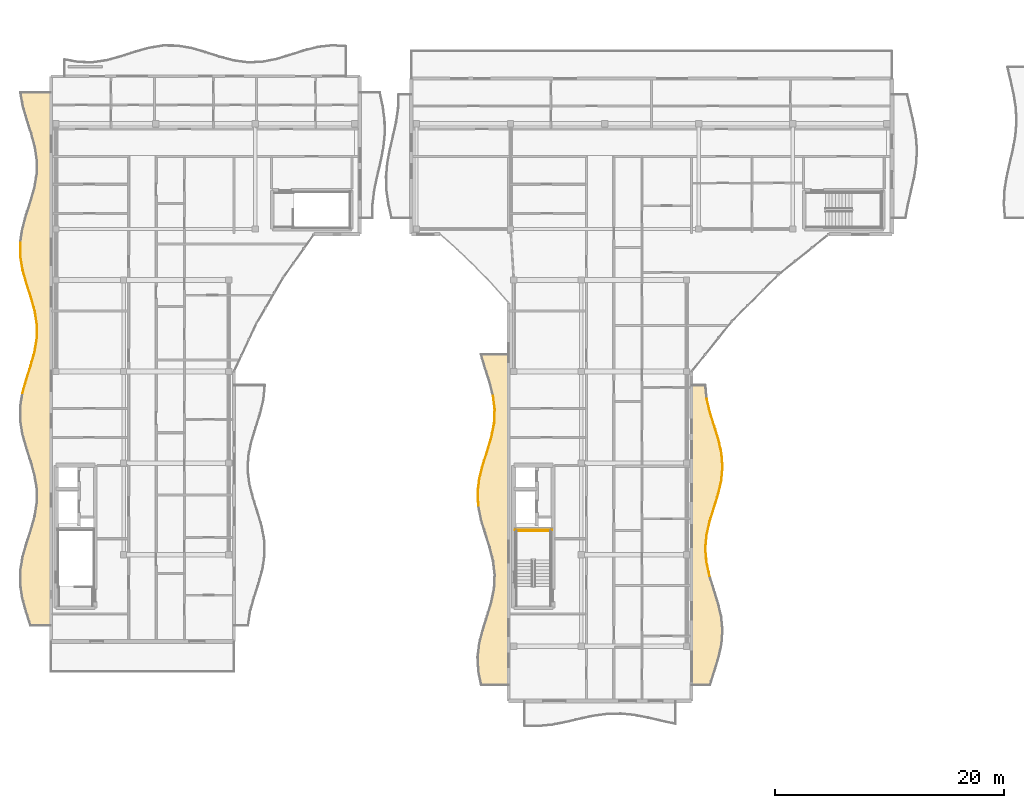
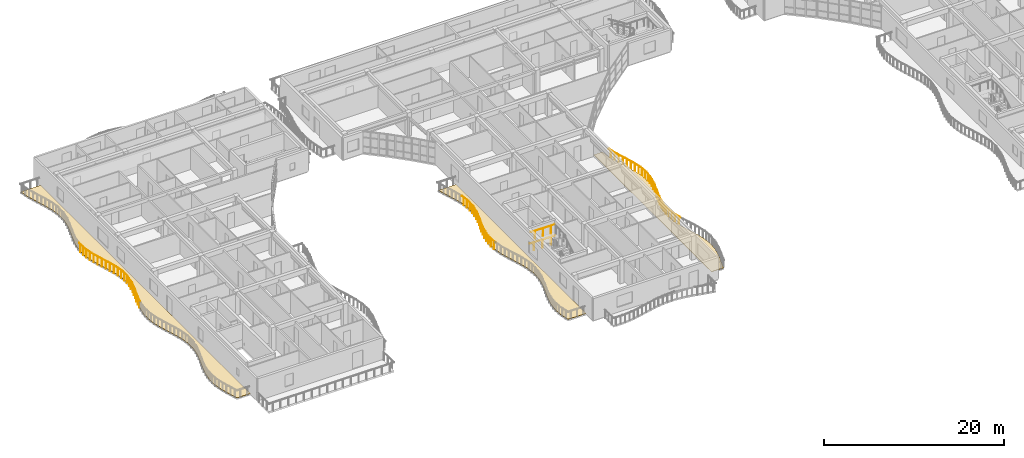
# One storey, part 50 of 68: 34 railings, 3 coverings.
"""IFC4 building model written with IfcOpenShell, lengths in metres."""

from ifc_helpers import new_model, si_unit, direction, frame, origin, origin_2d, place, context, subcontext, project, spatial, polyline, circle, outline, extrude, material, layer, layer_set, type_object, element, save


model = new_model("IFC4")

# Units and contexts
model_context = context("Model", 3, precision=1e-05, world=origin(), true_north=direction((0.0, 1.0)))
body_context = subcontext(model_context, "Body", "Model", "MODEL_VIEW")
ifc_project = project(units=[si_unit("LENGTHUNIT", "METRE"), si_unit("AREAUNIT", "SQUARE_METRE"), si_unit("VOLUMEUNIT", "CUBIC_METRE"), si_unit("PLANEANGLEUNIT", "RADIAN"), si_unit("MASSUNIT", "GRAM", prefix="KILO")], contexts=[model_context])

# Site, building, storey
site_placement = place(None, origin())
site = spatial("IfcSite", under=ifc_project, at=site_placement, CompositionType="ELEMENT")
building_placement = place(site_placement, origin())
building = spatial("IfcBuilding", under=site, at=building_placement, Name="Keldmere Railside Commons", CompositionType="ELEMENT")
storey_placement = place(building_placement, frame((0.0, 0.0, 23.360107421875)))
storey = spatial("IfcBuildingStorey", under=building, at=storey_placement, Name="L07", CompositionType="ELEMENT", Elevation=23.360107421875)

# Railings
ifc_material_1 = material(Name="Steel F-24 (S235)", Category="steel")
railing_type_1 = type_object("IfcRailingType", Name="Balcony & Terrace Steel Balustrade 1100", PredefinedType="BALUSTRADE", material=ifc_material_1)
railing_1_placement = place(storey_placement, frame((5.5146484375, 86.11279296875, 0.0)))
element("IfcRailing", 1, at=railing_1_placement, inside=storey, type_object=railing_type_1, Name="GR-1 GRD-L07-0753", PredefinedType="BALUSTRADE", context=body_context, shape_type="SweptSolid", body=[
    extrude(circle(Radius=0.02392578125, at=origin_2d()), frame((0.0, 0.0, 1.076171875), z_axis=(0.268293545651, 0.963337206466, 0.0), x_axis=(-0.963337206466, 0.268293545651, 0.0)), (0.0, 0.0, 1.0), 1.240234375),
    extrude(circle(Radius=0.02099609375, at=origin_2d()), frame((0.083251953125, 0.298828125, 0.0)), (0.0, 0.0, 1.0), 1.048095703125),
    extrude(circle(Radius=0.02099609375, at=origin_2d()), frame((0.24951171875, 0.89599609375, 0.0)), (0.0, 0.0, 1.0), 1.048095703125),
])
railing_2_placement = place(storey_placement, frame((5.847412109375, 87.3076171875, 0.0)))
element("IfcRailing", 2, at=railing_2_placement, inside=storey, type_object=railing_type_1, Name="GR-1 GRD-L07-0754", PredefinedType="BALUSTRADE", context=body_context, shape_type="SweptSolid", body=[
    extrude(circle(Radius=0.02392578125, at=origin_2d()), frame((0.0, 0.0, 1.076171875), z_axis=(0.307701250876, 0.951483021503, 0.0), x_axis=(-0.951483021503, 0.307701250876, 0.0)), (0.0, 0.0, 1.0), 1.256103515625),
    extrude(circle(Radius=0.02099609375, at=origin_2d()), frame((0.0966796875, 0.298828125, 0.0)), (0.0, 0.0, 1.0), 1.048095703125),
    extrude(circle(Radius=0.02099609375, at=origin_2d()), frame((0.289794921875, 0.896240234375, 0.0)), (0.0, 0.0, 1.0), 1.048095703125),
])
railing_3_placement = place(storey_placement, frame((6.23388671875, 88.502685546875, 0.0)))
element("IfcRailing", 3, at=railing_3_placement, inside=storey, type_object=railing_type_1, Name="GR-1 GRD-L07-0755", PredefinedType="BALUSTRADE", context=body_context, shape_type="SweptSolid", body=[
    extrude(circle(Radius=0.02392578125, at=origin_2d()), frame((0.0, 0.0, 1.076171875), z_axis=(0.272123246887, 0.962262406261, 0.0), x_axis=(-0.962262406261, 0.272123246887, 0.0)), (0.0, 0.0, 1.0), 1.24169921875),
    extrude(circle(Radius=0.02099609375, at=origin_2d()), frame((0.08447265625, 0.298828125, 0.0)), (0.0, 0.0, 1.0), 1.048095703125),
    extrude(circle(Radius=0.02099609375, at=origin_2d()), frame((0.25341796875, 0.89599609375, 0.0)), (0.0, 0.0, 1.0), 1.048095703125),
])
railing_4_placement = place(storey_placement, frame((6.57177734375, 89.697509765625, 0.0)))
element("IfcRailing", 4, at=railing_4_placement, inside=storey, type_object=railing_type_1, Name="GR-1 GRD-L07-0756", PredefinedType="BALUSTRADE", context=body_context, shape_type="SweptSolid", body=[
    extrude(circle(Radius=0.02392578125, at=origin_2d()), frame((0.0, 0.0, 1.076171875), z_axis=(0.164268246749, 0.98641570502, 0.0), x_axis=(-0.98641570502, 0.164268246749, 0.0)), (0.0, 0.0, 1.0), 1.211181640625),
    extrude(circle(Radius=0.02099609375, at=origin_2d()), frame((0.0498046875, 0.298828125, 0.0)), (0.0, 0.0, 1.0), 1.048095703125),
    extrude(circle(Radius=0.02099609375, at=origin_2d()), frame((0.149169921875, 0.89599609375, 0.0)), (0.0, 0.0, 1.0), 1.048095703125),
])
railing_5_placement = place(storey_placement, frame((6.770751953125, 90.892333984375, 0.0)))
element("IfcRailing", 5, at=railing_5_placement, inside=storey, type_object=railing_type_1, Name="GR-1 GRD-L07-0757", PredefinedType="BALUSTRADE", context=body_context, shape_type="SweptSolid", body=[
    extrude(circle(Radius=0.02392578125, at=origin_2d()), frame((0.0, 0.0, 1.076171875), z_axis=(0.00633415981, 0.999979939009, 0.0), x_axis=(-0.999979939009, 0.00633415981, 0.0)), (0.0, 0.0, 1.0), 1.19482421875),
    extrude(circle(Radius=0.02099609375, at=origin_2d()), frame((0.001953125, 0.298828125, 0.0)), (0.0, 0.0, 1.0), 1.048095703125),
    extrude(circle(Radius=0.02099609375, at=origin_2d()), frame((0.005615234375, 0.89599609375, 0.0)), (0.0, 0.0, 1.0), 1.048095703125),
])
railing_6_placement = place(storey_placement, frame((6.7783203125, 92.087158203125, 0.0)))
element("IfcRailing", 6, at=railing_6_placement, inside=storey, type_object=railing_type_1, Name="GR-1 GRD-L07-0758", PredefinedType="BALUSTRADE", context=body_context, shape_type="SweptSolid", body=[
    extrude(circle(Radius=0.02392578125, at=origin_2d()), frame((0.0, 0.0, 1.076171875), z_axis=(-0.153847185467, 0.98809465312, 0.0), x_axis=(-0.98809465312, -0.153847185467, 0.0)), (0.0, 0.0, 1.0), 1.209228515625),
    extrude(circle(Radius=0.02099609375, at=origin_2d()), frame((-0.04638671875, 0.298828125, 0.0)), (0.0, 0.0, 1.0), 1.048095703125),
    extrude(circle(Radius=0.02099609375, at=origin_2d()), frame((-0.1396484375, 0.89599609375, 0.0)), (0.0, 0.0, 1.0), 1.048095703125),
])
railing_7_placement = place(storey_placement, frame((6.59228515625, 93.281982421875, 0.0)))
element("IfcRailing", 7, at=railing_7_placement, inside=storey, type_object=railing_type_1, Name="GR-1 GRD-L07-0759", PredefinedType="BALUSTRADE", context=body_context, shape_type="SweptSolid", body=[
    extrude(circle(Radius=0.02392578125, at=origin_2d()), frame((0.0, 0.0, 1.076171875), z_axis=(-0.266282410108, 0.963895055526, 0.0), x_axis=(-0.963895055526, -0.266282410108, 0.0)), (0.0, 0.0, 1.0), 1.239501953125),
    extrude(circle(Radius=0.02099609375, at=origin_2d()), frame((-0.08251953125, 0.298828125, 0.0)), (0.0, 0.0, 1.0), 1.048095703125),
    extrude(circle(Radius=0.02099609375, at=origin_2d()), frame((-0.24755859375, 0.89599609375, 0.0)), (0.0, 0.0, 1.0), 1.048095703125),
])
railing_8_placement = place(storey_placement, frame((6.26220703125, 94.476806640625, 0.0)))
element("IfcRailing", 8, at=railing_8_placement, inside=storey, type_object=railing_type_1, Name="GR-1 GRD-L07-0760", PredefinedType="BALUSTRADE", context=body_context, shape_type="SweptSolid", body=[
    extrude(circle(Radius=0.02392578125, at=origin_2d()), frame((0.0, 0.0, 1.076171875), z_axis=(-0.307701250876, 0.951483021503, 0.0), x_axis=(-0.951483021503, -0.307701250876, 0.0)), (0.0, 0.0, 1.0), 1.256103515625),
    extrude(circle(Radius=0.02099609375, at=origin_2d()), frame((-0.0966796875, 0.298828125, 0.0)), (0.0, 0.0, 1.0), 1.048095703125),
    extrude(circle(Radius=0.02099609375, at=origin_2d()), frame((-0.289794921875, 0.896240234375, 0.0)), (0.0, 0.0, 1.0), 1.048095703125),
])
railing_9_placement = place(storey_placement, frame((5.875732421875, 95.671875, 0.0)))
element("IfcRailing", 9, at=railing_9_placement, inside=storey, type_object=railing_type_1, Name="GR-1 GRD-L07-0761", PredefinedType="BALUSTRADE", context=body_context, shape_type="SweptSolid", body=[
    extrude(circle(Radius=0.02392578125, at=origin_2d()), frame((0.0, 0.0, 1.076171875), z_axis=(-0.27376060947, 0.961797862704, 0.0), x_axis=(-0.961797862704, -0.27376060947, 0.0)), (0.0, 0.0, 1.0), 1.2421875),
    extrude(circle(Radius=0.02099609375, at=origin_2d()), frame((-0.0849609375, 0.298828125, 0.0)), (0.0, 0.0, 1.0), 1.048095703125),
    extrude(circle(Radius=0.02099609375, at=origin_2d()), frame((-0.255126953125, 0.89599609375, 0.0)), (0.0, 0.0, 1.0), 1.048095703125),
])
railing_10_placement = place(storey_placement, frame((5.53564453125, 96.86669921875, 0.0)))
element("IfcRailing", 10, at=railing_10_placement, inside=storey, type_object=railing_type_1, Name="GR-1 GRD-L07-0762", PredefinedType="BALUSTRADE", context=body_context, shape_type="SweptSolid", body=[
    extrude(circle(Radius=0.02392578125, at=origin_2d()), frame((0.0, 0.0, 1.076171875), z_axis=(-0.167990936298, 0.985788539861, 0.0), x_axis=(-0.985788539861, -0.167990936298, 0.0)), (0.0, 0.0, 1.0), 1.212158203125),
    extrude(circle(Radius=0.02099609375, at=origin_2d()), frame((-0.05078125, 0.298828125, 0.0)), (0.0, 0.0, 1.0), 1.048095703125),
    extrude(circle(Radius=0.02099609375, at=origin_2d()), frame((-0.15283203125, 0.89599609375, 0.0)), (0.0, 0.0, 1.0), 1.048095703125),
])
railing_11_placement = place(storey_placement, frame((5.33203125, 98.0615234375, 0.0)))
element("IfcRailing", 11, at=railing_11_placement, inside=storey, type_object=railing_type_1, Name="GR-1 GRD-L07-0763", PredefinedType="BALUSTRADE", context=body_context, shape_type="SweptSolid", body=[
    extrude(circle(Radius=0.02392578125, at=origin_2d()), frame((0.0, 0.0, 1.076171875), z_axis=(-0.010624655691, 0.999943556753, 0.0), x_axis=(-0.999943556753, -0.010624655691, 0.0)), (0.0, 0.0, 1.0), 1.19482421875),
    extrude(circle(Radius=0.02099609375, at=origin_2d()), frame((-0.003173828125, 0.298828125, 0.0)), (0.0, 0.0, 1.0), 1.048095703125),
    extrude(circle(Radius=0.02099609375, at=origin_2d()), frame((-0.009521484375, 0.89599609375, 0.0)), (0.0, 0.0, 1.0), 1.048095703125),
])
railing_12_placement = place(storey_placement, frame((65.5693359375, 70.127197265625, 0.0)))
element("IfcRailing", 12, at=railing_12_placement, inside=storey, type_object=railing_type_1, Name="GR-1 GRD-L07-1558", PredefinedType="BALUSTRADE", context=body_context, shape_type="SweptSolid", body=[
    extrude(circle(Radius=0.02392578125, at=origin_2d()), frame((0.0, 0.0, 1.076171875), z_axis=(-0.221690224011, 0.975117144028, 0.0), x_axis=(-0.975117144028, -0.221690224011, 0.0)), (0.0, 0.0, 1.0), 1.22119140625),
    extrude(circle(Radius=0.02099609375, at=origin_2d()), frame((-0.067626953125, 0.2978515625, 0.0)), (0.0, 0.0, 1.0), 1.048095703125),
    extrude(circle(Radius=0.02099609375, at=origin_2d()), frame((-0.203125, 0.89306640625, 0.0)), (0.0, 0.0, 1.0), 1.048095703125),
])
railing_13_placement = place(storey_placement, frame((65.298583984375, 71.318115234375, 0.0)))
element("IfcRailing", 13, at=railing_13_placement, inside=storey, type_object=railing_type_1, Name="GR-1 GRD-L07-1559", PredefinedType="BALUSTRADE", context=body_context, shape_type="SweptSolid", body=[
    extrude(circle(Radius=0.02392578125, at=origin_2d()), frame((0.0, 0.0, 1.076171875), z_axis=(-0.082538235149, 0.996587898651, 0.0), x_axis=(-0.996587898651, -0.082538235149, 0.0)), (0.0, 0.0, 1.0), 1.195068359375),
    extrude(circle(Radius=0.02099609375, at=origin_2d()), frame((-0.024658203125, 0.2978515625, 0.0)), (0.0, 0.0, 1.0), 1.048095703125),
    extrude(circle(Radius=0.02099609375, at=origin_2d()), frame((-0.073974609375, 0.89306640625, 0.0)), (0.0, 0.0, 1.0), 1.048095703125),
])
railing_14_placement = place(storey_placement, frame((65.199951171875, 72.509033203125, 0.0)))
element("IfcRailing", 14, at=railing_14_placement, inside=storey, type_object=railing_type_1, Name="GR-1 GRD-L07-1560", PredefinedType="BALUSTRADE", context=body_context, shape_type="SweptSolid", body=[
    extrude(circle(Radius=0.02392578125, at=origin_2d()), frame((0.0, 0.0, 1.076171875), z_axis=(0.083146921062, 0.996537299612, 0.0), x_axis=(-0.996537299612, 0.083146921062, 0.0)), (0.0, 0.0, 1.0), 1.195068359375),
    extrude(circle(Radius=0.02099609375, at=origin_2d()), frame((0.02490234375, 0.2978515625, 0.0)), (0.0, 0.0, 1.0), 1.048095703125),
    extrude(circle(Radius=0.02099609375, at=origin_2d()), frame((0.074462890625, 0.89306640625, 0.0)), (0.0, 0.0, 1.0), 1.048095703125),
])
railing_15_placement = place(storey_placement, frame((65.29931640625, 73.699951171875, 0.0)))
element("IfcRailing", 15, at=railing_15_placement, inside=storey, type_object=railing_type_1, Name="GR-1 GRD-L07-1561", PredefinedType="BALUSTRADE", context=body_context, shape_type="SweptSolid", body=[
    extrude(circle(Radius=0.02392578125, at=origin_2d()), frame((0.0, 0.0, 1.076171875), z_axis=(0.221880287941, 0.975073914031, 0.0), x_axis=(-0.975073914031, 0.221880287941, 0.0)), (0.0, 0.0, 1.0), 1.221435546875),
    extrude(circle(Radius=0.02099609375, at=origin_2d()), frame((0.06787109375, 0.2978515625, 0.0)), (0.0, 0.0, 1.0), 1.048095703125),
    extrude(circle(Radius=0.02099609375, at=origin_2d()), frame((0.203125, 0.89306640625, 0.0)), (0.0, 0.0, 1.0), 1.048095703125),
])
railing_16_placement = place(storey_placement, frame((65.5703125, 74.890869140625, 0.0)))
element("IfcRailing", 16, at=railing_16_placement, inside=storey, type_object=railing_type_1, Name="GR-1 GRD-L07-1562", PredefinedType="BALUSTRADE", context=body_context, shape_type="SweptSolid", body=[
    extrude(circle(Radius=0.02392578125, at=origin_2d()), frame((0.0, 0.0, 1.076171875), z_axis=(0.297673181339, 0.95466783601, 0.0), x_axis=(-0.95466783601, 0.297673181339, 0.0)), (0.0, 0.0, 1.0), 1.24755859375),
    extrude(circle(Radius=0.02099609375, at=origin_2d()), frame((0.0927734375, 0.2978515625, 0.0)), (0.0, 0.0, 1.0), 1.048095703125),
    extrude(circle(Radius=0.02099609375, at=origin_2d()), frame((0.278564453125, 0.89306640625, 0.0)), (0.0, 0.0, 1.0), 1.048095703125),
])
railing_17_placement = place(storey_placement, frame((65.941650390625, 76.081787109375, 0.0)))
element("IfcRailing", 17, at=railing_17_placement, inside=storey, type_object=railing_type_1, Name="GR-1 GRD-L07-1563", PredefinedType="BALUSTRADE", context=body_context, shape_type="SweptSolid", body=[
    extrude(circle(Radius=0.02392578125, at=origin_2d()), frame((0.0, 0.0, 1.076171875), z_axis=(0.299277222529, 0.954166203591, 0.0), x_axis=(-0.954166203591, 0.299277222529, 0.0)), (0.0, 0.0, 1.0), 1.248046875),
    extrude(circle(Radius=0.02099609375, at=origin_2d()), frame((0.09326171875, 0.2978515625, 0.0)), (0.0, 0.0, 1.0), 1.048095703125),
    extrude(circle(Radius=0.02099609375, at=origin_2d()), frame((0.2802734375, 0.89306640625, 0.0)), (0.0, 0.0, 1.0), 1.048095703125),
])
railing_18_placement = place(storey_placement, frame((66.315185546875, 77.272705078125, 0.0)))
element("IfcRailing", 18, at=railing_18_placement, inside=storey, type_object=railing_type_1, Name="GR-1 GRD-L07-1564", PredefinedType="BALUSTRADE", context=body_context, shape_type="SweptSolid", body=[
    extrude(circle(Radius=0.02392578125, at=origin_2d()), frame((0.0, 0.0, 1.076171875), z_axis=(0.226623623289, 0.973982409167, 0.0), x_axis=(-0.973982409167, 0.226623623289, 0.0)), (0.0, 0.0, 1.0), 1.22265625),
    extrude(circle(Radius=0.02099609375, at=origin_2d()), frame((0.0693359375, 0.2978515625, 0.0)), (0.0, 0.0, 1.0), 1.048095703125),
    extrude(circle(Radius=0.02099609375, at=origin_2d()), frame((0.207763671875, 0.89306640625, 0.0)), (0.0, 0.0, 1.0), 1.048095703125),
])
railing_19_placement = place(storey_placement, frame((66.59228515625, 78.463623046875, 0.0)))
element("IfcRailing", 19, at=railing_19_placement, inside=storey, type_object=railing_type_1, Name="GR-1 GRD-L07-1565", PredefinedType="BALUSTRADE", context=body_context, shape_type="SweptSolid", body=[
    extrude(circle(Radius=0.02392578125, at=origin_2d()), frame((0.0, 0.0, 1.076171875), z_axis=(0.089836179685, 0.995956555689, 0.0), x_axis=(-0.995956555689, 0.089836179685, 0.0)), (0.0, 0.0, 1.0), 1.19580078125),
    extrude(circle(Radius=0.02099609375, at=origin_2d()), frame((0.02685546875, 0.2978515625, 0.0)), (0.0, 0.0, 1.0), 1.048095703125),
    extrude(circle(Radius=0.02099609375, at=origin_2d()), frame((0.08056640625, 0.89306640625, 0.0)), (0.0, 0.0, 1.0), 1.048095703125),
])
railing_20_placement = place(storey_placement, frame((66.69970703125, 79.654541015625, 0.0)))
element("IfcRailing", 20, at=railing_20_placement, inside=storey, type_object=railing_type_1, Name="GR-1 GRD-L07-1566", PredefinedType="BALUSTRADE", context=body_context, shape_type="SweptSolid", body=[
    extrude(circle(Radius=0.02392578125, at=origin_2d()), frame((0.0, 0.0, 1.076171875), z_axis=(-0.07563349803, 0.997135684837, 0.0), x_axis=(-0.997135684837, -0.07563349803, 0.0)), (0.0, 0.0, 1.0), 1.1943359375),
    extrude(circle(Radius=0.02099609375, at=origin_2d()), frame((-0.0224609375, 0.2978515625, 0.0)), (0.0, 0.0, 1.0), 1.048095703125),
    extrude(circle(Radius=0.02099609375, at=origin_2d()), frame((-0.06787109375, 0.89306640625, 0.0)), (0.0, 0.0, 1.0), 1.048095703125),
])
railing_21_placement = place(storey_placement, frame((66.609375, 80.845458984375, 0.0)))
element("IfcRailing", 21, at=railing_21_placement, inside=storey, type_object=railing_type_1, Name="GR-1 GRD-L07-1567", PredefinedType="BALUSTRADE", context=body_context, shape_type="SweptSolid", body=[
    extrude(circle(Radius=0.02392578125, at=origin_2d()), frame((0.0, 0.0, 1.076171875), z_axis=(-0.216739742483, 0.976229421821, 0.0), x_axis=(-0.976229421821, -0.216739742483, 0.0)), (0.0, 0.0, 1.0), 1.219970703125),
    extrude(circle(Radius=0.02099609375, at=origin_2d()), frame((-0.066162109375, 0.2978515625, 0.0)), (0.0, 0.0, 1.0), 1.048095703125),
    extrude(circle(Radius=0.02099609375, at=origin_2d()), frame((-0.1982421875, 0.89306640625, 0.0)), (0.0, 0.0, 1.0), 1.048095703125),
])
railing_22_placement = place(storey_placement, frame((66.344970703125, 82.036376953125, 0.0)))
element("IfcRailing", 22, at=railing_22_placement, inside=storey, type_object=railing_type_1, Name="GR-1 GRD-L07-1568", PredefinedType="BALUSTRADE", context=body_context, shape_type="SweptSolid", body=[
    extrude(circle(Radius=0.02392578125, at=origin_2d()), frame((0.0, 0.0, 1.076171875), z_axis=(-0.295709258309, 0.955277988101, 0.0), x_axis=(-0.955277988101, -0.295709258309, 0.0)), (0.0, 0.0, 1.0), 1.24658203125),
    extrude(circle(Radius=0.02099609375, at=origin_2d()), frame((-0.09228515625, 0.2978515625, 0.0)), (0.0, 0.0, 1.0), 1.048095703125),
    extrude(circle(Radius=0.02099609375, at=origin_2d()), frame((-0.2763671875, 0.89306640625, 0.0)), (0.0, 0.0, 1.0), 1.048095703125),
])
railing_23_placement = place(storey_placement, frame((65.976318359375, 83.227294921875, 0.0)))
element("IfcRailing", 23, at=railing_23_placement, inside=storey, type_object=railing_type_1, Name="GR-1 GRD-L07-1569", PredefinedType="BALUSTRADE", context=body_context, shape_type="SweptSolid", body=[
    extrude(circle(Radius=0.02392578125, at=origin_2d()), frame((0.0, 0.0, 1.076171875), z_axis=(-0.300878730392, 0.953662408611, 0.0), x_axis=(-0.953662408611, -0.300878730392, 0.0)), (0.0, 0.0, 1.0), 1.248779296875),
    extrude(circle(Radius=0.02099609375, at=origin_2d()), frame((-0.093994140625, 0.2978515625, 0.0)), (0.0, 0.0, 1.0), 1.048095703125),
    extrude(circle(Radius=0.02099609375, at=origin_2d()), frame((-0.28173828125, 0.89306640625, 0.0)), (0.0, 0.0, 1.0), 1.048095703125),
])
railing_24_placement = place(storey_placement, frame((65.6005859375, 84.418212890625, 0.0)))
element("IfcRailing", 24, at=railing_24_placement, inside=storey, type_object=railing_type_1, Name="GR-1 GRD-L07-1570", PredefinedType="BALUSTRADE", context=body_context, shape_type="SweptSolid", body=[
    extrude(circle(Radius=0.02392578125, at=origin_2d()), frame((0.0, 0.0, 1.076171875), z_axis=(-0.231539641313, 0.972825469702, 0.0), x_axis=(-0.972825469702, -0.231539641313, 0.0)), (0.0, 0.0, 1.0), 1.22412109375),
    extrude(circle(Radius=0.02099609375, at=origin_2d()), frame((-0.07080078125, 0.2978515625, 0.0)), (0.0, 0.0, 1.0), 1.048095703125),
    extrude(circle(Radius=0.02099609375, at=origin_2d()), frame((-0.212646484375, 0.89306640625, 0.0)), (0.0, 0.0, 1.0), 1.048095703125),
])
railing_25_placement = place(storey_placement, frame((45.361083984375, 76.254150390625, 0.0)))
element("IfcRailing", 25, at=railing_25_placement, inside=storey, type_object=railing_type_1, Name="GR-1 GRD-L07-1587", PredefinedType="BALUSTRADE", context=body_context, shape_type="SweptSolid", body=[
    extrude(circle(Radius=0.02392578125, at=origin_2d()), frame((0.0, 0.0, 1.076171875), z_axis=(-0.046179391955, 0.998933162809, 0.0), x_axis=(-0.998933162809, -0.046179391955, 0.0)), (0.0, 0.0, 1.0), 1.205322265625),
    extrude(circle(Radius=0.02099609375, at=origin_2d()), frame((-0.013916015625, 0.301025390625, 0.0)), (0.0, 0.0, 1.0), 1.048095703125),
    extrude(circle(Radius=0.02099609375, at=origin_2d()), frame((-0.041748046875, 0.903076171875, 0.0)), (0.0, 0.0, 1.0), 1.048095703125),
])
railing_26_placement = place(storey_placement, frame((45.305419921875, 77.458251953125, 0.0)))
element("IfcRailing", 26, at=railing_26_placement, inside=storey, type_object=railing_type_1, Name="GR-1 GRD-L07-1588", PredefinedType="BALUSTRADE", context=body_context, shape_type="SweptSolid", body=[
    extrude(circle(Radius=0.02392578125, at=origin_2d()), frame((0.0, 0.0, 1.076171875), z_axis=(0.119351564743, 0.992852055441, 0.0), x_axis=(-0.992852055441, 0.119351564743, 0.0)), (0.0, 0.0, 1.0), 1.213134765625),
    extrude(circle(Radius=0.02099609375, at=origin_2d()), frame((0.0361328125, 0.301025390625, 0.0)), (0.0, 0.0, 1.0), 1.048095703125),
    extrude(circle(Radius=0.02099609375, at=origin_2d()), frame((0.108642578125, 0.9033203125, 0.0)), (0.0, 0.0, 1.0), 1.048095703125),
])
railing_27_placement = place(storey_placement, frame((45.4501953125, 78.66259765625, 0.0)))
element("IfcRailing", 27, at=railing_27_placement, inside=storey, type_object=railing_type_1, Name="GR-1 GRD-L07-1589", PredefinedType="BALUSTRADE", context=body_context, shape_type="SweptSolid", body=[
    extrude(circle(Radius=0.02392578125, at=origin_2d()), frame((0.0, 0.0, 1.076171875), z_axis=(0.246971147983, 0.969022833613, 0.0), x_axis=(-0.969022833613, 0.246971147983, 0.0)), (0.0, 0.0, 1.0), 1.24267578125),
    extrude(circle(Radius=0.02099609375, at=origin_2d()), frame((0.07666015625, 0.301025390625, 0.0)), (0.0, 0.0, 1.0), 1.048095703125),
    extrude(circle(Radius=0.02099609375, at=origin_2d()), frame((0.230224609375, 0.903076171875, 0.0)), (0.0, 0.0, 1.0), 1.048095703125),
])
railing_28_placement = place(storey_placement, frame((45.757080078125, 79.86669921875, 0.0)))
element("IfcRailing", 28, at=railing_28_placement, inside=storey, type_object=railing_type_1, Name="GR-1 GRD-L07-1590", PredefinedType="BALUSTRADE", context=body_context, shape_type="SweptSolid", body=[
    extrude(circle(Radius=0.02392578125, at=origin_2d()), frame((0.0, 0.0, 1.076171875), z_axis=(0.30508398435, 0.952325449882, 0.0), x_axis=(-0.952325449882, 0.30508398435, 0.0)), (0.0, 0.0, 1.0), 1.264404296875),
    extrude(circle(Radius=0.02099609375, at=origin_2d()), frame((0.096435546875, 0.301025390625, 0.0)), (0.0, 0.0, 1.0), 1.048095703125),
    extrude(circle(Radius=0.02099609375, at=origin_2d()), frame((0.289306640625, 0.903076171875, 0.0)), (0.0, 0.0, 1.0), 1.048095703125),
])
railing_29_placement = place(storey_placement, frame((46.142822265625, 81.07080078125, 0.0)))
element("IfcRailing", 29, at=railing_29_placement, inside=storey, type_object=railing_type_1, Name="GR-1 GRD-L07-1591", PredefinedType="BALUSTRADE", context=body_context, shape_type="SweptSolid", body=[
    extrude(circle(Radius=0.02392578125, at=origin_2d()), frame((0.0, 0.0, 1.076171875), z_axis=(0.287062773684, 0.957911772537, 0.0), x_axis=(-0.957911772537, 0.287062773684, 0.0)), (0.0, 0.0, 1.0), 1.257080078125),
    extrude(circle(Radius=0.02099609375, at=origin_2d()), frame((0.09033203125, 0.301025390625, 0.0)), (0.0, 0.0, 1.0), 1.048095703125),
    extrude(circle(Radius=0.02099609375, at=origin_2d()), frame((0.2705078125, 0.903076171875, 0.0)), (0.0, 0.0, 1.0), 1.048095703125),
])
railing_30_placement = place(storey_placement, frame((46.503662109375, 82.27490234375, 0.0)))
element("IfcRailing", 30, at=railing_30_placement, inside=storey, type_object=railing_type_1, Name="GR-1 GRD-L07-1592", PredefinedType="BALUSTRADE", context=body_context, shape_type="SweptSolid", body=[
    extrude(circle(Radius=0.02392578125, at=origin_2d()), frame((0.0, 0.0, 1.076171875), z_axis=(0.194088858233, 0.980983952524, 0.0), x_axis=(-0.980983952524, 0.194088858233, 0.0)), (0.0, 0.0, 1.0), 1.227783203125),
    extrude(circle(Radius=0.02099609375, at=origin_2d()), frame((0.0595703125, 0.301025390625, 0.0)), (0.0, 0.0, 1.0), 1.048095703125),
    extrude(circle(Radius=0.02099609375, at=origin_2d()), frame((0.1787109375, 0.9033203125, 0.0)), (0.0, 0.0, 1.0), 1.048095703125),
])
railing_31_placement = place(storey_placement, frame((46.741943359375, 83.479248046875, 0.0)))
element("IfcRailing", 31, at=railing_31_placement, inside=storey, type_object=railing_type_1, Name="GR-1 GRD-L07-1593", PredefinedType="BALUSTRADE", context=body_context, shape_type="SweptSolid", body=[
    extrude(circle(Radius=0.02392578125, at=origin_2d()), frame((0.0, 0.0, 1.076171875), z_axis=(0.042944934598, 0.999077440738, 0.0), x_axis=(-0.999077440738, 0.042944934598, 0.0)), (0.0, 0.0, 1.0), 1.205322265625),
    extrude(circle(Radius=0.02099609375, at=origin_2d()), frame((0.012939453125, 0.301025390625, 0.0)), (0.0, 0.0, 1.0), 1.048095703125),
    extrude(circle(Radius=0.02099609375, at=origin_2d()), frame((0.038818359375, 0.903076171875, 0.0)), (0.0, 0.0, 1.0), 1.048095703125),
])
railing_32_placement = place(storey_placement, frame((46.793701171875, 84.683349609375, 0.0)))
element("IfcRailing", 32, at=railing_32_placement, inside=storey, type_object=railing_type_1, Name="GR-1 GRD-L07-1594", PredefinedType="BALUSTRADE", context=body_context, shape_type="SweptSolid", body=[
    extrude(circle(Radius=0.02392578125, at=origin_2d()), frame((0.0, 0.0, 1.076171875), z_axis=(-0.1227467949, 0.992438020403, 0.0), x_axis=(-0.992438020403, -0.1227467949, 0.0)), (0.0, 0.0, 1.0), 1.21337890625),
    extrude(circle(Radius=0.02099609375, at=origin_2d()), frame((-0.037109375, 0.301025390625, 0.0)), (0.0, 0.0, 1.0), 1.048095703125),
    extrude(circle(Radius=0.02099609375, at=origin_2d()), frame((-0.11181640625, 0.903076171875, 0.0)), (0.0, 0.0, 1.0), 1.048095703125),
])
railing_type_2 = type_object("IfcRailingType", Name="Stair Well Steel Guardrail 1100", PredefinedType="BALUSTRADE", material=ifc_material_1)
railing_33_placement = place(storey_placement, frame((51.699951171875, 74.050048828125, 1.599853515625)))
element("IfcRailing", 33, at=railing_33_placement, inside=storey, type_object=railing_type_2, Name="L07 ST-C1 stair guard 5", PredefinedType="BALUSTRADE", context=body_context, shape_type="SweptSolid", body=[
    extrude(circle(Radius=0.02392578125, at=origin_2d()), frame((0.0, 0.0, 1.076171875), z_axis=(-1.0, 0.0, 0.0), x_axis=(0.0, -1.0, 0.0)), (0.0, 0.0, 1.0), 3.050048828125),
    extrude(circle(Radius=0.02099609375, at=origin_2d()), frame((-0.50830078125, 0.0, 0.0)), (0.0, 0.0, 1.0), 1.048095703125),
    extrude(circle(Radius=0.02099609375, at=origin_2d()), frame((-1.52490234375, 0.0, 0.0)), (0.0, 0.0, 1.0), 1.048095703125),
    extrude(circle(Radius=0.02099609375, at=origin_2d()), frame((-2.541748046875, 0.0, 0.0)), (0.0, 0.0, 1.0), 1.048095703125),
])
railing_34_placement = place(storey_placement, frame((51.800048828125, 74.14990234375, 0.0)))
element("IfcRailing", 34, at=railing_34_placement, inside=storey, type_object=railing_type_2, Name="L07 ST-C1 stair guard 12", PredefinedType="BALUSTRADE", context=body_context, shape_type="SweptSolid", body=[
    extrude(circle(Radius=0.02392578125, at=origin_2d()), frame((0.0, 0.0, 1.076171875), z_axis=(-1.0, 0.0, 0.0), x_axis=(0.0, -1.0, 0.0)), (0.0, 0.0, 1.0), 3.25),
    extrude(circle(Radius=0.02099609375, at=origin_2d()), frame((-0.541748046875, 0.0, 0.0)), (0.0, 0.0, 1.0), 1.048095703125),
    extrude(circle(Radius=0.02099609375, at=origin_2d()), frame((-1.625, 0.0, 0.0)), (0.0, 0.0, 1.0), 1.048095703125),
    extrude(circle(Radius=0.02099609375, at=origin_2d()), frame((-2.708251953125, 0.0, 0.0)), (0.0, 0.0, 1.0), 1.048095703125),
])

# Coverings
ifc_material_2 = material(Name="White Precast Concrete C35/45", Category="concrete")
ifc_layer = layer(ifc_material_2, 0.044921875, Name="White Architectural Balcony Ribbon Cladding 45")
ifc_layer_set = layer_set([ifc_layer], Name="White Precast Concrete C35/45")
covering_type = type_object("IfcCoveringType", Name="White Architectural Balcony Ribbon Cladding 45", PredefinedType="FLOORING", material=ifc_layer_set)
covering_1_placement = place(storey_placement, origin())
element("IfcCovering", 35, at=covering_1_placement, inside=storey, type_object=covering_type, Name="CLG-WB D L07 CW White Balcony Ribbon", PredefinedType="FLOORING", context=body_context, shape_type="SweptSolid", body=[
    extrude(outline(polyline([(7.9599609375, 112.360107421875), (5.385986328125, 112.360107421875), (5.58935546875, 111.214111328125), (5.93359375, 110.02197265625), (6.319580078125, 108.82763671875), (6.320068359375, 108.825927734375), (6.64453125, 107.631103515625), (6.6455078125, 107.62646484375), (6.822509765625, 106.431396484375), (6.82275390625, 106.42822265625), (6.82275390625, 106.425048828125), (6.804931640625, 105.230224609375), (6.8046875, 105.22705078125), (6.80419921875, 105.223876953125), (6.596435546875, 104.029052734375), (6.595458984375, 104.02490234375), (6.2529296875, 102.830078125), (6.25244140625, 102.82861328125), (5.866455078125, 101.634765625), (5.5400390625, 100.443115234375), (5.359375, 99.253662109375), (5.3720703125, 98.065185546875), (5.57470703125, 96.87548828125), (5.9140625, 95.683349609375), (6.30029296875, 94.4892578125), (6.30078125, 94.487548828125), (6.630859375, 93.292724609375), (6.6318359375, 93.288330078125), (6.81787109375, 92.093505859375), (6.818115234375, 92.090087890625), (6.818359375, 92.0869140625), (6.810791015625, 90.89208984375), (6.810791015625, 90.888916015625), (6.810302734375, 90.8857421875), (6.611083984375, 89.69091796875), (6.610107421875, 89.6865234375), (6.2724609375, 88.49169921875), (6.272216796875, 88.490234375), (5.8857421875, 87.296142578125), (5.5537109375, 86.104248046875), (5.3642578125, 84.914794921875), (5.366455078125, 83.726318359375), (5.560302734375, 82.536865234375), (5.89453125, 81.344970703125), (6.281005859375, 80.15087890625), (6.28125, 80.1494140625), (6.61669921875, 78.954345703125), (6.61767578125, 78.949951171875), (6.812744140625, 77.755126953125), (6.81298828125, 77.751953125), (6.813232421875, 77.748779296875), (6.816162109375, 76.553955078125), (6.81591796875, 76.55078125), (6.815673828125, 76.547607421875), (6.62548828125, 75.352783203125), (6.62451171875, 75.348388671875), (6.2919921875, 74.1533203125), (6.29150390625, 74.15185546875), (5.9052734375, 72.95751953125), (5.568115234375, 71.765625), (5.369384765625, 70.576171875), (5.361572265625, 69.3876953125), (5.546142578125, 68.197998046875), (5.875, 67.00634765625), (6.25244140625, 65.840087890625), (7.9599609375, 65.840087890625), (7.9599609375, 112.360107421875)])), origin(), (0.0, 0.0, 1.0), 0.044921875),
])
covering_2_placement = place(storey_placement, origin())
element("IfcCovering", 36, at=covering_2_placement, inside=storey, type_object=covering_type, Name="CLG-WB C L07 CE White Balcony Ribbon", PredefinedType="FLOORING", context=body_context, shape_type="SweptSolid", body=[
    extrude(outline(polyline([(65.939208984375, 61.802734375), (66.30712890625, 62.9921875), (66.5703125, 64.1787109375), (66.65966796875, 65.36328125), (66.552001953125, 66.548095703125), (66.275390625, 67.735107421875), (65.90234375, 68.92431640625), (65.90234375, 68.924560546875), (65.53125, 70.115478515625), (65.530517578125, 70.118408203125), (65.259765625, 71.309326171875), (65.2587890625, 71.31494140625), (65.16015625, 72.505859375), (65.159912109375, 72.509033203125), (65.16015625, 72.512451171875), (65.259521484375, 73.703369140625), (65.26025390625, 73.708984375), (65.53125, 74.89990234375), (65.531982421875, 74.90283203125), (65.9033203125, 76.09375), (65.9033203125, 76.09375), (66.276611328125, 77.283203125), (66.552490234375, 78.469970703125), (66.65966796875, 79.65478515625), (66.569580078125, 80.839599609375), (66.30615234375, 82.026123046875), (65.93798828125, 83.21533203125), (65.5625, 84.40625), (65.561767578125, 84.408935546875), (65.2783203125, 85.599853515625), (65.27734375, 85.605224609375), (65.16455078125, 86.760009765625), (64.0400390625, 86.760009765625), (64.0400390625, 60.639892578125), (65.572265625, 60.639892578125), (65.939208984375, 61.802734375)])), origin(), (0.0, 0.0, 1.0), 0.044921875),
])
covering_3_placement = place(storey_placement, origin())
element("IfcCovering", 37, at=covering_3_placement, inside=storey, type_object=covering_type, Name="CLG-WB C L07 CW White Balcony Ribbon", PredefinedType="FLOORING", context=body_context, shape_type="SweptSolid", body=[
    extrude(outline(polyline([(47.9599609375, 89.4599609375), (45.6435546875, 89.4599609375), (45.9873046875, 88.3076171875), (46.37353515625, 87.10400390625), (46.3740234375, 87.101806640625), (46.68359375, 85.8974609375), (46.6845703125, 85.892333984375), (46.83349609375, 84.688232421875), (46.833740234375, 84.684814453125), (46.833740234375, 84.681640625), (46.781982421875, 83.4775390625), (46.78173828125, 83.474365234375), (46.78125, 83.471435546875), (46.542724609375, 82.26708984375), (46.5419921875, 82.263427734375), (46.18115234375, 81.059326171875), (46.180908203125, 81.05859375), (45.795654296875, 79.855712890625), (45.48974609375, 78.655029296875), (45.345458984375, 77.456787109375), (45.40087890625, 76.259033203125), (45.6416015625, 75.059814453125), (46.00341796875, 73.857666015625), (46.388671875, 72.65380859375), (46.389404296875, 72.651611328125), (46.693359375, 71.447265625), (46.6943359375, 71.442138671875), (46.83544921875, 70.238037109375), (46.835693359375, 70.234619140625), (46.835693359375, 70.231201171875), (46.775390625, 69.027099609375), (46.775146484375, 69.024169921875), (46.774658203125, 69.021240234375), (46.52978515625, 67.81689453125), (46.52880859375, 67.8134765625), (46.164794921875, 66.609130859375), (46.164794921875, 66.608642578125), (45.780517578125, 65.40576171875), (45.47998046875, 64.205322265625), (45.343505859375, 63.007080078125), (45.40771484375, 61.809326171875), (45.648681640625, 60.639892578125), (47.9599609375, 60.639892578125), (47.9599609375, 89.4599609375)])), origin(), (0.0, 0.0, 1.0), 0.044921875),
])

save(model, "model.ifc")
